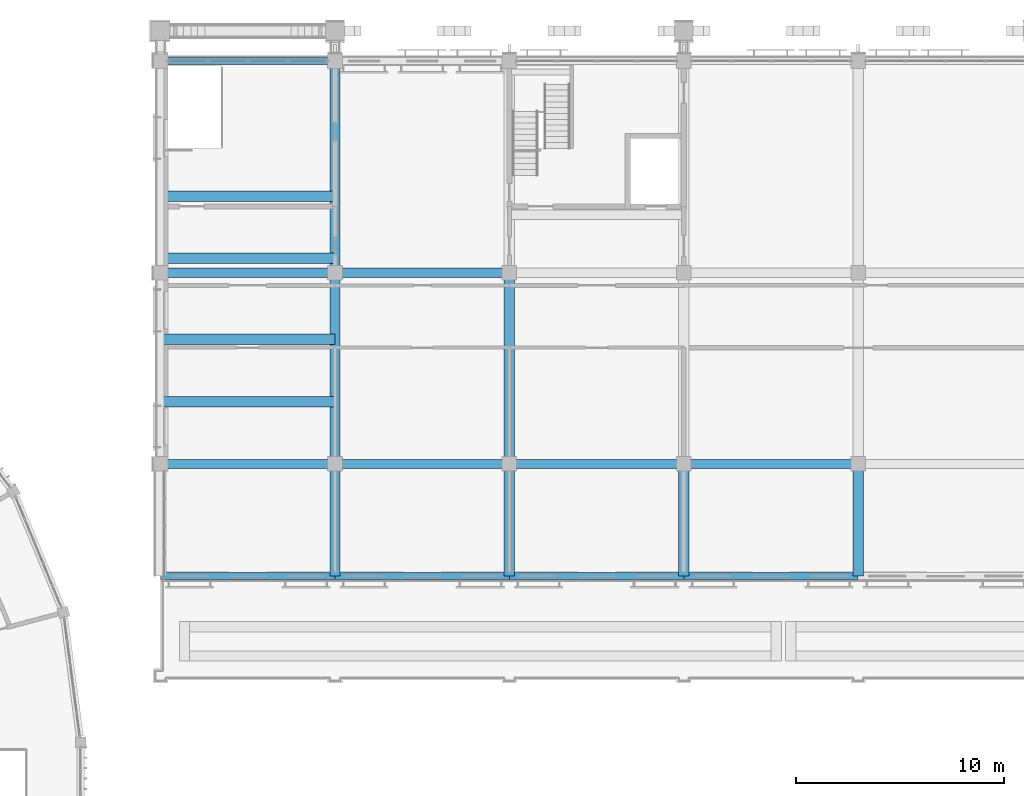
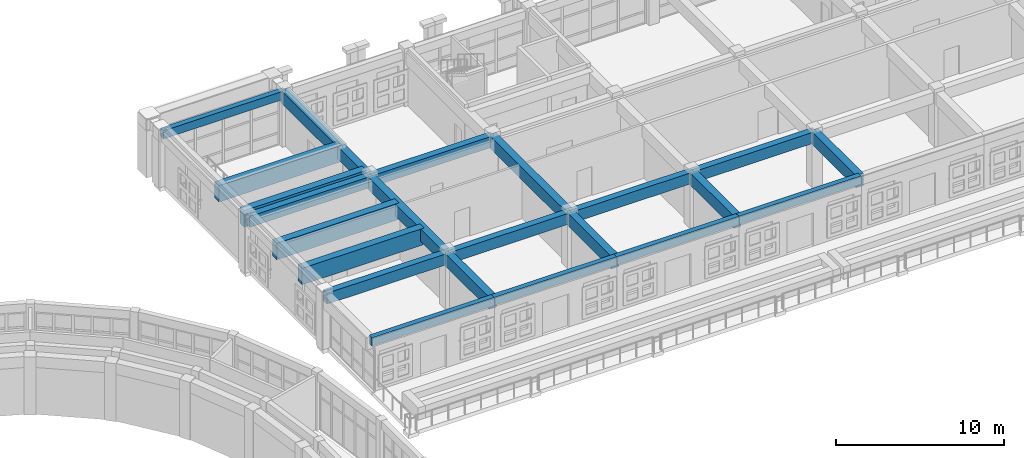
# One storey, part 24 of 99: 22 beams.
"""IFC4 building model written with IfcOpenShell, lengths in metres."""

import ifcopenshell
import ifcopenshell.guid

model = None  # the IFC model being written
_history = None  # IfcOwnerHistory: only IFC2X3 demands one
_inside = {}  # id of a spatial element -> (the spatial element, [elements in it])
_under = {}  # id of a project, library or spatial element -> (it, [spatial elements below it])
_declared = {}  # id of a project -> (the project, [libraries it declares])
_typed = {}  # id of a type object -> (the type object, [elements of that type])
_made_of = {}  # id of a material, layer set ... -> (it, [elements and type objects made of it])


def new_model(schema):
    """Start an empty IFC model of exactly this schema.

    Asked for "IFC4X3", IfcOpenShell would pick the latest addendum, in which some entities
    have other attributes; the version numbers below select the first issue.
    IFC2X3 requires an IfcOwnerHistory on every rooted entity: one is made here for all.
    """
    global model, _history
    if schema == "IFC4X3":
        model = ifcopenshell.file(schema_version=(4, 3, 0, 0))
    else:
        model = ifcopenshell.file(schema=schema)
    _inside.clear()
    _under.clear()
    _declared.clear()
    _typed.clear()
    _made_of.clear()
    _history = None
    if model.schema == "IFC2X3":
        org = make("IfcOrganization", Name="unknown")
        user = make(
            "IfcPersonAndOrganization",
            ThePerson=make("IfcPerson", FamilyName="unknown"),
            TheOrganization=org,
        )
        app = make(
            "IfcApplication",
            ApplicationDeveloper=org,
            Version="unknown",
            ApplicationFullName="unknown",
            ApplicationIdentifier="unknown",
        )
        _history = make(
            "IfcOwnerHistory",
            OwningUser=user,
            OwningApplication=app,
            ChangeAction="ADDED",
            CreationDate=0,
        )
    return model


def make(cls, **values):
    """One entity of the class cls with the attributes given. An attribute that is None is left unset."""
    return model.create_entity(
        cls, **{name: value for name, value in values.items() if value is not None}
    )


def rooted(cls, **values):
    """An entity with a GlobalId (a new one), such as an element, a storey or a relation."""
    return make(cls, GlobalId=ifcopenshell.guid.new(), OwnerHistory=_history, **values)


def si_unit(unit_type, name, prefix=None):
    """IfcSIUnit, for example si_unit("LENGTHUNIT", "METRE", prefix="MILLI")."""
    return make("IfcSIUnit", UnitType=unit_type, Prefix=prefix, Name=name)


def assignment(units):
    """IfcUnitAssignment: the units of a project."""
    return None if units is None else make("IfcUnitAssignment", Units=units)


def point(xyz):
    """IfcCartesianPoint."""
    return None if xyz is None else make("IfcCartesianPoint", Coordinates=xyz)


def direction(xyz):
    """IfcDirection."""
    return None if xyz is None else make("IfcDirection", DirectionRatios=xyz)


def frame(location, z_axis=None, x_axis=None):
    """IfcAxis2Placement3D, a coordinate frame: its origin and axes. An axis left out is left unset."""
    return make(
        "IfcAxis2Placement3D",
        Location=point(location),
        Axis=direction(z_axis),
        RefDirection=direction(x_axis),
    )


def frame_2d(location, x_axis=None):
    """IfcAxis2Placement2D, a coordinate frame in the plane: its origin and x axis."""
    return make(
        "IfcAxis2Placement2D", Location=point(location), RefDirection=direction(x_axis)
    )


def origin():
    """The frame at (0, 0, 0) with its axes left unset."""
    return frame((0.0, 0.0, 0.0))


def origin_2d():
    """The frame at (0, 0) in the plane with its x axis left unset."""
    return frame_2d((0.0, 0.0))


def place(relative_to, where):
    """IfcLocalPlacement: puts the frame where relative to a parent placement (None: the world)."""
    return make(
        "IfcLocalPlacement", PlacementRelTo=relative_to, RelativePlacement=where
    )


def context(
    kind, dimensions, precision=None, world=None, true_north=None, identifier=None
):
    """IfcGeometricRepresentationContext, for example the 3D "Model" context."""
    return make(
        "IfcGeometricRepresentationContext",
        ContextIdentifier=identifier,
        ContextType=kind,
        CoordinateSpaceDimension=dimensions,
        Precision=precision,
        WorldCoordinateSystem=world,
        TrueNorth=true_north,
    )


def subcontext(parent, identifier, kind, view, scale=None):
    """IfcGeometricRepresentationSubContext, for example "Body" below "Model"."""
    return make(
        "IfcGeometricRepresentationSubContext",
        ContextIdentifier=identifier,
        ContextType=kind,
        ParentContext=parent,
        TargetScale=scale,
        TargetView=view,
    )


def project(units=None, contexts=None):
    """IfcProject with its units and contexts."""
    return rooted(
        "IfcProject",
        Name="project",
        RepresentationContexts=contexts,
        UnitsInContext=assignment(units),
    )


def spatial(cls, under=None, at=None, **own):
    """A site, building, storey or space (cls), placed at a placement, below another one or the project."""
    s = rooted(cls, ObjectPlacement=at, **own)
    if under is not None:
        _under.setdefault(under.id(), (under, []))[1].append(s)
    return s


def profile(cls, at=None, kind="AREA", **sizes):
    """A parametric profile (cls). Its sizes go by their IFC names, for example OverallWidth=200.0."""
    return make(cls, ProfileType=kind, Position=at, **sizes)


def rectangle(**sizes):
    """IfcRectangleProfileDef."""
    return profile("IfcRectangleProfileDef", **sizes)


def extrude(swept, where, along, depth):
    """IfcExtrudedAreaSolid: the profile swept, set in the frame where, extruded along a direction by depth."""
    return make(
        "IfcExtrudedAreaSolid",
        SweptArea=swept,
        Position=where,
        ExtrudedDirection=direction(along),
        Depth=depth,
    )


def shape(context_of_items, identifier, shape_type, items):
    """IfcShapeRepresentation: the items that make up one representation, for example the "Body"."""
    return make(
        "IfcShapeRepresentation",
        ContextOfItems=context_of_items,
        RepresentationIdentifier=identifier,
        RepresentationType=shape_type,
        Items=items,
    )


def material(Name=None, Category=None):
    """IfcMaterial."""
    return make("IfcMaterial", Name=Name, Category=Category)


def material_profile(
    of_material, cross_section, Name=None, Category=None, Priority=None
):
    """IfcMaterialProfile: a cross section and its material."""
    return make(
        "IfcMaterialProfile",
        Name=Name,
        Material=of_material,
        Profile=cross_section,
        Priority=Priority,
        Category=Category,
    )


def profile_set(profiles, Name=None, composite=None):
    """IfcMaterialProfileSet."""
    return make(
        "IfcMaterialProfileSet",
        Name=Name,
        MaterialProfiles=profiles,
        CompositeProfile=composite,
    )


def made_of(thing, what):
    """Note that an element or type object is made of a material, layer set ...; save() writes the relation."""
    if what is not None:
        _made_of.setdefault(what.id(), (what, []))[1].append(thing)
    return thing


def type_object(cls, material=None, **own):
    """A type object (cls), such as IfcWallType, which elements share."""
    return made_of(rooted(cls, **own), material)


def element(
    cls,
    number,
    at=None,
    inside=None,
    cuts=None,
    type_object=None,
    material=None,
    context=None,
    identifier="Body",
    shape_type=None,
    held_by="IfcProductDefinitionShape",
    body=None,
    shapes=None,
    **own,
):
    """One element of the class cls, such as IfcWall. Its Tag is "e" and its number.

    at: its placement. inside: the storey or other place that contains it. cuts: it is an
    opening in that element (IfcRelVoidsElement). A single representation is given by context,
    identifier, shape_type and body (its items); several are given by shapes. held_by: the class
    of the entity that holds the representations. save() writes the other relations.
    """
    e = rooted(cls, Tag="e%d" % number, ObjectPlacement=at, **own)
    if body is not None:
        shapes = [shape(context, identifier, shape_type, body)]
    if shapes is not None:
        e.Representation = make(held_by, Representations=shapes)
    if inside is not None:
        _inside.setdefault(inside.id(), (inside, []))[1].append(e)
    if cuts is not None:
        rooted(
            "IfcRelVoidsElement", RelatingBuildingElement=cuts, RelatedOpeningElement=e
        )
    if type_object is not None:
        _typed.setdefault(type_object.id(), (type_object, []))[1].append(e)
    return made_of(e, material)


def aggregate(whole, parts):
    """IfcRelAggregates: a whole, such as a stair, and the parts it consists of."""
    return rooted("IfcRelAggregates", RelatingObject=whole, RelatedObjects=parts)


def save(model, path):
    """Write the relations noted so far, then the file.

    IfcRelAggregates (storeys below a building ...), IfcRelContainedInSpatialStructure (elements
    in a storey), IfcRelDefinesByType, IfcRelAssociatesMaterial and IfcRelDeclares: one each for
    every whole, place, type object, material and project.
    """
    for whole, parts in _under.values():
        aggregate(whole, parts)
    for where, things in _inside.values():
        rooted(
            "IfcRelContainedInSpatialStructure",
            RelatedElements=things,
            RelatingStructure=where,
        )
    for kind, things in _typed.values():
        rooted("IfcRelDefinesByType", RelatedObjects=things, RelatingType=kind)
    for what, things in _made_of.values():
        rooted("IfcRelAssociatesMaterial", RelatedObjects=things, RelatingMaterial=what)
    for by, libraries in _declared.values():
        rooted("IfcRelDeclares", RelatingContext=by, RelatedDefinitions=libraries)
    model.write(path)


model = new_model("IFC4")

# Units and contexts
model_context = context("Model", 3, precision=1e-05, world=origin(), true_north=direction((0.0, 1.0)))
body_context = subcontext(model_context, "Body", "Model", "MODEL_VIEW")
ifc_project = project(units=[si_unit("LENGTHUNIT", "METRE"), si_unit("AREAUNIT", "SQUARE_METRE"), si_unit("VOLUMEUNIT", "CUBIC_METRE"), si_unit("PLANEANGLEUNIT", "RADIAN"), si_unit("MASSUNIT", "GRAM", prefix="KILO")], contexts=[model_context])

# Site, building, storey
site_placement = place(None, origin())
site = spatial("IfcSite", under=ifc_project, at=site_placement, CompositionType="ELEMENT")
building_placement = place(site_placement, origin())
building = spatial("IfcBuilding", under=site, at=building_placement, Name="Wasatch Bagh Community Centre", CompositionType="ELEMENT")
storey_placement = place(building_placement, frame((0.0, 0.0, 4.199951171875)))
storey = spatial("IfcBuildingStorey", under=building, at=storey_placement, Name="L01", CompositionType="ELEMENT", Elevation=4.199951171875)

# Beams
ifc_material = material(Name="Concrete C35", Category="concrete")
ifc_material_profile_1 = material_profile(ifc_material, rectangle(XDim=0.35009765625, YDim=0.60009765625, at=origin_2d()), Name="RC 350x600")
ifc_profile_set_1 = profile_set([ifc_material_profile_1], Name="Concrete C35")
beam_type_1 = type_object("IfcBeamType", Name="LW RC 350x600", PredefinedType="BEAM", material=ifc_profile_set_1)
for number, where, z_axis, x_axis, name in (
    (1, (64.0, 97.800048828125, 3.6201171875), (1.0, 0.0, 0.0), (0.0, 1.0, 0.0), "W1-W2N"),
    (2, (64.0, 73.0, 3.6201171875), (1.0, 0.0, 0.0), (0.0, 1.0, 0.0), "W1-W2tip"),
):
    element("IfcBeam", number, at=place(storey_placement, frame(where, z_axis=z_axis, x_axis=x_axis)), inside=storey, type_object=beam_type_1, Name=name, PredefinedType="BEAM", context=body_context, shape_type="SweptSolid", body=[
        extrude(rectangle(XDim=0.35009765625, YDim=0.60009765625, at=origin_2d()), origin(), (0.0, 0.0, 1.0), 8.39990234375),
    ])
beam_1_placement = place(storey_placement, frame((72.39990234375, 73.0, 3.6201171875), z_axis=(1.0, 0.0, 0.0), x_axis=(0.0, 1.0, 0.0)))
element("IfcBeam", 3, at=beam_1_placement, inside=storey, type_object=beam_type_1, Name="W2-W3tip", PredefinedType="BEAM", context=body_context, shape_type="SweptSolid", body=[
    extrude(rectangle(XDim=0.35009765625, YDim=0.60009765625, at=origin_2d()), origin(), (0.0, 0.0, 1.0), 8.400146484375),
])
beam_2_placement = place(storey_placement, frame((80.800048828125, 73.0, 3.6201171875), z_axis=(1.0, 0.0, 0.0), x_axis=(0.0, 1.0, 0.0)))
element("IfcBeam", 4, at=beam_2_placement, inside=storey, type_object=beam_type_1, Name="W3-W4tip", PredefinedType="BEAM", context=body_context, shape_type="SweptSolid", body=[
    extrude(rectangle(XDim=0.35009765625, YDim=0.60009765625, at=origin_2d()), origin(), (0.0, 0.0, 1.0), 8.39990234375),
])
beam_3_placement = place(storey_placement, frame((89.199951171875, 73.0, 3.6201171875), z_axis=(1.0, 0.0, 0.0), x_axis=(0.0, 1.0, 0.0)))
element("IfcBeam", 5, at=beam_3_placement, inside=storey, type_object=beam_type_1, Name="W4-W5tip", PredefinedType="BEAM", context=body_context, shape_type="SweptSolid", body=[
    extrude(rectangle(XDim=0.35009765625, YDim=0.60009765625, at=origin_2d()), origin(), (0.0, 0.0, 1.0), 8.400146484375),
])
ifc_material_profile_2 = material_profile(ifc_material, rectangle(XDim=0.449951171875, YDim=0.800048828125, at=origin_2d()), Name="RC 450x800")
ifc_profile_set_2 = profile_set([ifc_material_profile_2], Name="Concrete C35")
beam_type_2 = type_object("IfcBeamType", Name="LW RC 450x800", PredefinedType="BEAM", material=ifc_profile_set_2)
beam_4_placement = place(storey_placement, frame((64.0, 78.39990234375, 3.52001953125), z_axis=(1.0, 0.0, 0.0), x_axis=(0.0, 1.0, 0.0)))
element("IfcBeam", 6, at=beam_4_placement, inside=storey, type_object=beam_type_2, Name="W1-W2S", PredefinedType="BEAM", context=body_context, shape_type="SweptSolid", body=[
    extrude(rectangle(XDim=0.449951171875, YDim=0.800048828125, at=origin_2d()), origin(), (0.0, 0.0, 1.0), 8.39990234375),
])
beam_5_placement = place(storey_placement, frame((72.39990234375, 78.39990234375, 3.52001953125), z_axis=(1.0, 0.0, 0.0), x_axis=(0.0, 1.0, 0.0)))
element("IfcBeam", 7, at=beam_5_placement, inside=storey, type_object=beam_type_2, Name="W2-W3S", PredefinedType="BEAM", context=body_context, shape_type="SweptSolid", body=[
    extrude(rectangle(XDim=0.449951171875, YDim=0.800048828125, at=origin_2d()), origin(), (0.0, 0.0, 1.0), 8.400146484375),
])
beam_6_placement = place(storey_placement, frame((80.800048828125, 78.39990234375, 3.52001953125), z_axis=(1.0, 0.0, 0.0), x_axis=(0.0, 1.0, 0.0)))
element("IfcBeam", 8, at=beam_6_placement, inside=storey, type_object=beam_type_2, Name="W3-W4S", PredefinedType="BEAM", context=body_context, shape_type="SweptSolid", body=[
    extrude(rectangle(XDim=0.449951171875, YDim=0.800048828125, at=origin_2d()), origin(), (0.0, 0.0, 1.0), 8.39990234375),
])
beam_7_placement = place(storey_placement, frame((89.199951171875, 78.39990234375, 3.52001953125), z_axis=(1.0, 0.0, 0.0), x_axis=(0.0, 1.0, 0.0)))
element("IfcBeam", 9, at=beam_7_placement, inside=storey, type_object=beam_type_2, Name="W4-W5S", PredefinedType="BEAM", context=body_context, shape_type="SweptSolid", body=[
    extrude(rectangle(XDim=0.449951171875, YDim=0.800048828125, at=origin_2d()), origin(), (0.0, 0.0, 1.0), 8.400146484375),
])
beam_8_placement = place(storey_placement, frame((64.0, 87.60009765625, 3.52001953125), z_axis=(1.0, 0.0, 0.0), x_axis=(0.0, 1.0, 0.0)))
element("IfcBeam", 10, at=beam_8_placement, inside=storey, type_object=beam_type_2, Name="W1-W2M", PredefinedType="BEAM", context=body_context, shape_type="SweptSolid", body=[
    extrude(rectangle(XDim=0.449951171875, YDim=0.800048828125, at=origin_2d()), origin(), (0.0, 0.0, 1.0), 8.39990234375),
])
beam_9_placement = place(storey_placement, frame((72.39990234375, 87.60009765625, 3.52001953125), z_axis=(1.0, 0.0, 0.0), x_axis=(0.0, 1.0, 0.0)))
element("IfcBeam", 11, at=beam_9_placement, inside=storey, type_object=beam_type_2, Name="W2-W3M", PredefinedType="BEAM", context=body_context, shape_type="SweptSolid", body=[
    extrude(rectangle(XDim=0.449951171875, YDim=0.800048828125, at=origin_2d()), origin(), (0.0, 0.0, 1.0), 8.400146484375),
])
ifc_material_profile_3 = material_profile(ifc_material, rectangle(XDim=0.5, YDim=0.89990234375, at=origin_2d()), Name="RC 500x900")
ifc_profile_set_3 = profile_set([ifc_material_profile_3], Name="Concrete C35")
beam_type_3 = type_object("IfcBeamType", Name="LW RC 500x900", PredefinedType="BEAM", material=ifc_profile_set_3)
beam_10_placement = place(storey_placement, frame((72.39990234375, 78.39990234375, 3.469970703125), z_axis=(0.0, 1.0, 0.0), x_axis=(-1.0, 0.0, 0.0)))
element("IfcBeam", 12, at=beam_10_placement, inside=storey, type_object=beam_type_3, Name="W2S-M", PredefinedType="BEAM", context=body_context, shape_type="SweptSolid", body=[
    extrude(rectangle(XDim=0.5, YDim=0.89990234375, at=origin_2d()), origin(), (0.0, 0.0, 1.0), 9.2001953125),
])
beam_11_placement = place(storey_placement, frame((72.39990234375, 87.60009765625, 3.469970703125), z_axis=(0.0, 1.0, 0.0), x_axis=(-1.0, 0.0, 0.0)))
element("IfcBeam", 13, at=beam_11_placement, inside=storey, type_object=beam_type_3, Name="W2M-N", PredefinedType="BEAM", context=body_context, shape_type="SweptSolid", body=[
    extrude(rectangle(XDim=0.5, YDim=0.89990234375, at=origin_2d()), origin(), (0.0, 0.0, 1.0), 10.199951171875),
])
beam_12_placement = place(storey_placement, frame((80.800048828125, 78.39990234375, 3.469970703125), z_axis=(0.0, 1.0, 0.0), x_axis=(-1.0, 0.0, 0.0)))
element("IfcBeam", 14, at=beam_12_placement, inside=storey, type_object=beam_type_3, Name="W3S-M", PredefinedType="BEAM", context=body_context, shape_type="SweptSolid", body=[
    extrude(rectangle(XDim=0.5, YDim=0.89990234375, at=origin_2d()), origin(), (0.0, 0.0, 1.0), 9.2001953125),
])
for number, where, z_axis, x_axis, name in (
    (15, (72.39990234375, 78.39990234375, 3.469970703125), (0.0, -1.0, 0.0), (1.0, 0.0, 0.0), "W2S-tip"),
    (16, (80.800048828125, 78.39990234375, 3.469970703125), (0.0, -1.0, 0.0), (1.0, 0.0, 0.0), "W3S-tip"),
    (17, (89.199951171875, 78.39990234375, 3.469970703125), (0.0, -1.0, 0.0), (1.0, 0.0, 0.0), "W4S-tip"),
    (18, (97.60009765625, 78.39990234375, 3.469970703125), (0.0, -1.0, 0.0), (1.0, 0.0, 0.0), "W5S-tip"),
):
    element("IfcBeam", number, at=place(storey_placement, frame(where, z_axis=z_axis, x_axis=x_axis)), inside=storey, type_object=beam_type_3, Name=name, PredefinedType="BEAM", context=body_context, shape_type="SweptSolid", body=[
        extrude(rectangle(XDim=0.5, YDim=0.89990234375, at=origin_2d()), origin(), (0.0, 0.0, 1.0), 5.39990234375),
    ])
ifc_material_profile_4 = material_profile(ifc_material, rectangle(XDim=0.5, YDim=1.199951171875, at=origin_2d()), Name="RC 500x1200")
ifc_profile_set_4 = profile_set([ifc_material_profile_4], Name="Concrete C35")
beam_type_4 = type_object("IfcBeamType", Name="LW pavilion transfer beam 500x1200", PredefinedType="BEAM", material=ifc_profile_set_4)
for number, where, z_axis, x_axis, name in (
    (19, (64.0, 81.39990234375, 3.320068359375), (1.0, 0.0, 0.0), (0.0, 1.0, 0.0), "Pavilion 1 support beam"),
    (20, (64.0, 84.39990234375, 3.320068359375), (1.0, 0.0, 0.0), (0.0, 1.0, 0.0), "Pavilion 1 support beam"),
    (21, (64.0, 88.300048828125, 3.320068359375), (1.0, 0.0, 0.0), (0.0, 1.0, 0.0), "Pavilion 2 support beam"),
    (22, (64.0, 91.300048828125, 3.320068359375), (1.0, 0.0, 0.0), (0.0, 1.0, 0.0), "Pavilion 2 support beam"),
):
    element("IfcBeam", number, at=place(storey_placement, frame(where, z_axis=z_axis, x_axis=x_axis)), inside=storey, type_object=beam_type_4, Name=name, PredefinedType="BEAM", context=body_context, shape_type="SweptSolid", body=[
        extrude(rectangle(XDim=0.5, YDim=1.199951171875, at=origin_2d()), origin(), (0.0, 0.0, 1.0), 8.39990234375),
    ])

save(model, "model.ifc")
